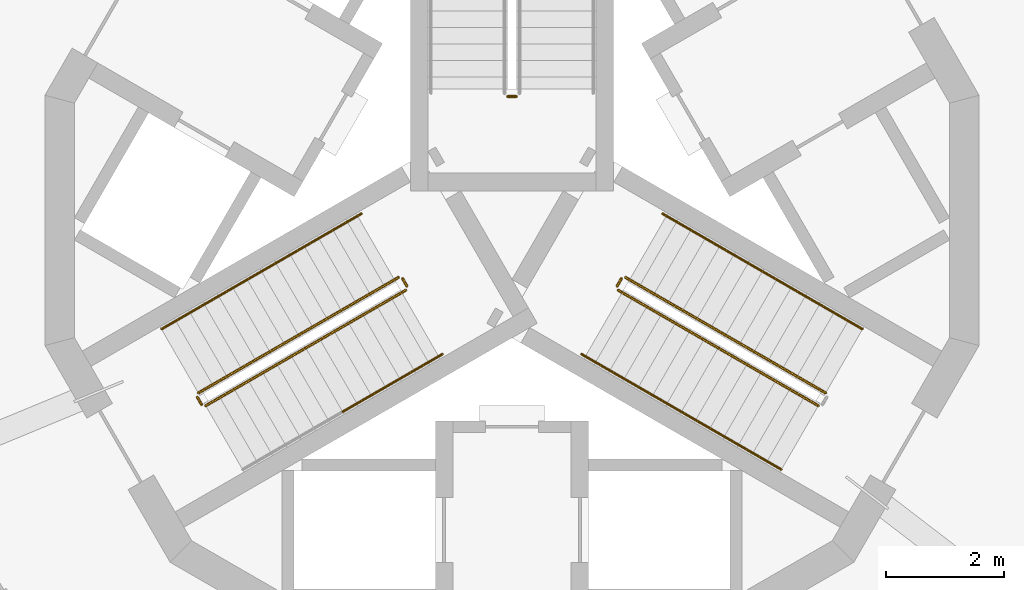
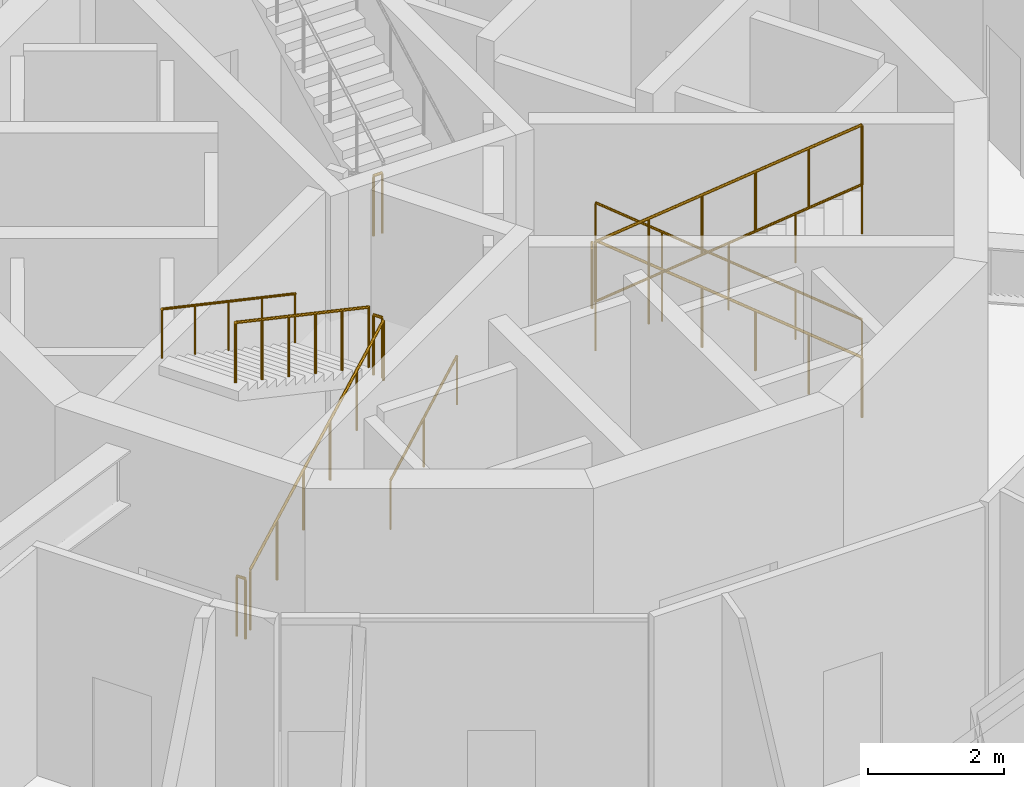
# One storey, part 18 of 22: 15 railings.
"""IFC4 building model written with IfcOpenShell, lengths in metres."""

from ifc_helpers import new_model, si_unit, direction, frame, origin, origin_2d, place, context, subcontext, project, spatial, circle, extrude, material, type_object, element, save


model = new_model("IFC4")

# Units and contexts
model_context = context("Model", 3, precision=1e-05, world=origin(), true_north=direction((0.0, 1.0)))
body_context = subcontext(model_context, "Body", "Model", "MODEL_VIEW")
ifc_project = project(units=[si_unit("LENGTHUNIT", "METRE"), si_unit("AREAUNIT", "SQUARE_METRE"), si_unit("VOLUMEUNIT", "CUBIC_METRE"), si_unit("PLANEANGLEUNIT", "RADIAN"), si_unit("MASSUNIT", "GRAM", prefix="KILO")], contexts=[model_context])

# Site, building, storey
site_placement = place(None, origin())
site = spatial("IfcSite", under=ifc_project, at=site_placement, CompositionType="ELEMENT")
building_placement = place(site_placement, origin())
building = spatial("IfcBuilding", under=site, at=building_placement, Name="Trine Commons Tower", CompositionType="ELEMENT")
storey_placement = place(building_placement, frame((0.0, 0.0, 267.300048828125)))
storey = spatial("IfcBuildingStorey", under=building, at=storey_placement, Name="L70", CompositionType="ELEMENT", Elevation=267.300048828125)

# Railings
ifc_material_1 = material(Name="Stainless steel balustrade", Category="steel")
railing_type_1 = type_object("IfcRailingType", Name="Stair guard, steel balustrade 1100", PredefinedType="GUARDRAIL", material=ifc_material_1)
railing_1_placement = place(storey_placement, frame((79.925048828125, 64.6005859375, 2.25)))
element("IfcRailing", 1, at=railing_1_placement, inside=storey, type_object=railing_type_1, Name="L70 ST1D stair guard 2", PredefinedType="GUARDRAIL", context=body_context, shape_type="SweptSolid", body=[
    extrude(circle(Radius=0.02392578125, at=origin_2d()), frame((0.0, 0.0, 1.076171875), z_axis=(1.0, 0.0, 0.0), x_axis=(0.0, 1.0, 0.0)), (0.0, 0.0, 1.0), 0.14990234375),
    extrude(circle(Radius=0.02099609375, at=origin_2d()), origin(), (0.0, 0.0, 1.0), 1.052001953125),
    extrude(circle(Radius=0.02099609375, at=origin_2d()), frame((0.14990234375, 0.0, 0.0)), (0.0, 0.0, 1.0), 1.052001953125),
])
railing_2_placement = place(storey_placement, frame((74.80517578125, 59.3564453125, 0.14990234375)))
element("IfcRailing", 2, at=railing_2_placement, inside=storey, type_object=railing_type_1, Name="L70 ST2D stair guard 1", PredefinedType="GUARDRAIL", context=body_context, shape_type="SweptSolid", body=[
    extrude(circle(Radius=0.02392578125, at=origin_2d()), frame((0.0, 0.0, 1.076171875), z_axis=(0.763374939589, 0.440731680332, 0.472243885677), x_axis=(-0.499997407846, 0.86602690036, 0.0)), (0.0, 0.0, 1.0), 4.447021484375),
    extrude(circle(Radius=0.02099609375, at=origin_2d()), origin(), (0.0, 0.0, 1.0), 1.052001953125),
    extrude(circle(Radius=0.02099609375, at=origin_2d()), frame((0.678955078125, 0.39208984375, 0.419921875)), (0.0, 0.0, 1.0), 1.052001953125),
    extrude(circle(Radius=0.02099609375, at=origin_2d()), frame((1.35791015625, 0.783935546875, 0.840087890625)), (0.0, 0.0, 1.0), 1.052001953125),
    extrude(circle(Radius=0.02099609375, at=origin_2d()), frame((2.036865234375, 1.176025390625, 1.260009765625)), (0.0, 0.0, 1.0), 1.052001953125),
    extrude(circle(Radius=0.02099609375, at=origin_2d()), frame((2.7158203125, 1.56787109375, 1.68017578125)), (0.0, 0.0, 1.0), 1.052001953125),
    extrude(circle(Radius=0.02099609375, at=origin_2d()), frame((3.394775390625, 1.9599609375, 2.10009765625)), (0.0, 0.0, 1.0), 1.052001953125),
])
railing_3_placement = place(storey_placement, frame((78.21826171875, 61.384765625, 2.25)))
element("IfcRailing", 3, at=railing_3_placement, inside=storey, type_object=railing_type_1, Name="L70 ST2D stair guard 2", PredefinedType="GUARDRAIL", context=body_context, shape_type="SweptSolid", body=[
    extrude(circle(Radius=0.02392578125, at=origin_2d()), frame((0.0, 0.0, 1.076171875), z_axis=(-0.499816412211, 0.866131372301, 0.0), x_axis=(-0.866131372301, -0.499816412211, 0.0)), (0.0, 0.0, 1.0), 0.14990234375),
    extrude(circle(Radius=0.02099609375, at=origin_2d()), origin(), (0.0, 0.0, 1.0), 1.052001953125),
    extrude(circle(Radius=0.02099609375, at=origin_2d()), frame((-0.074951171875, 0.1298828125, 0.0)), (0.0, 0.0, 1.0), 1.052001953125),
])
railing_4_placement = place(storey_placement, frame((78.074951171875, 61.532958984375, 2.39990234375)))
element("IfcRailing", 4, at=railing_4_placement, inside=storey, type_object=railing_type_1, Name="L70 ST2D stair guard 3", PredefinedType="GUARDRAIL", context=body_context, shape_type="SweptSolid", body=[
    extrude(circle(Radius=0.02392578125, at=origin_2d()), frame((0.0, 0.0, 1.076171875), z_axis=(-0.763374939589, -0.440731680332, 0.472243885677), x_axis=(0.499997407846, -0.86602690036, 0.0)), (0.0, 0.0, 1.0), 4.447021484375),
    extrude(circle(Radius=0.02099609375, at=origin_2d()), origin(), (0.0, 0.0, 1.0), 1.052001953125),
    extrude(circle(Radius=0.02099609375, at=origin_2d()), frame((-0.678955078125, -0.39208984375, 0.419921875)), (0.0, 0.0, 1.0), 1.052001953125),
    extrude(circle(Radius=0.02099609375, at=origin_2d()), frame((-1.35791015625, -0.783935546875, 0.840087890625)), (0.0, 0.0, 1.0), 1.052001953125),
    extrude(circle(Radius=0.02099609375, at=origin_2d()), frame((-2.036865234375, -1.176025390625, 1.260009765625)), (0.0, 0.0, 1.0), 1.052001953125),
    extrude(circle(Radius=0.02099609375, at=origin_2d()), frame((-2.7158203125, -1.56787109375, 1.68017578125)), (0.0, 0.0, 1.0), 1.052001953125),
    extrude(circle(Radius=0.02099609375, at=origin_2d()), frame((-3.394775390625, -1.9599609375, 2.10009765625)), (0.0, 0.0, 1.0), 1.052001953125),
])
railing_5_placement = place(storey_placement, frame((74.73681640625, 59.374755859375, 0.0)))
element("IfcRailing", 5, at=railing_5_placement, inside=storey, type_object=railing_type_1, Name="L70 ST2D stair guard 4", PredefinedType="GUARDRAIL", context=body_context, shape_type="SweptSolid", body=[
    extrude(circle(Radius=0.02392578125, at=origin_2d()), frame((0.0, 0.0, 1.076171875), z_axis=(-0.499816412211, 0.866131372301, 0.0), x_axis=(-0.866131372301, -0.499816412211, 0.0)), (0.0, 0.0, 1.0), 0.14990234375),
    extrude(circle(Radius=0.02099609375, at=origin_2d()), origin(), (0.0, 0.0, 1.0), 1.052001953125),
    extrude(circle(Radius=0.02099609375, at=origin_2d()), frame((-0.074951171875, 0.1298828125, 0.0)), (0.0, 0.0, 1.0), 1.052001953125),
])
railing_6_placement = place(storey_placement, frame((85.31982421875, 59.572998046875, 0.14990234375)))
element("IfcRailing", 6, at=railing_6_placement, inside=storey, type_object=railing_type_1, Name="L70 ST3D stair guard 1", PredefinedType="GUARDRAIL", context=body_context, shape_type="SweptSolid", body=[
    extrude(circle(Radius=0.02392578125, at=origin_2d()), frame((0.0, 0.0, 1.076171875), z_axis=(-0.763374939589, 0.440731680332, 0.472243885677), x_axis=(-0.499997407846, -0.86602690036, 0.0)), (0.0, 0.0, 1.0), 4.447021484375),
    extrude(circle(Radius=0.02099609375, at=origin_2d()), origin(), (0.0, 0.0, 1.0), 1.052001953125),
    extrude(circle(Radius=0.02099609375, at=origin_2d()), frame((-0.678955078125, 0.39208984375, 0.419921875)), (0.0, 0.0, 1.0), 1.052001953125),
    extrude(circle(Radius=0.02099609375, at=origin_2d()), frame((-1.35791015625, 0.783935546875, 0.840087890625)), (0.0, 0.0, 1.0), 1.052001953125),
    extrude(circle(Radius=0.02099609375, at=origin_2d()), frame((-2.036865234375, 1.176025390625, 1.260009765625)), (0.0, 0.0, 1.0), 1.052001953125),
    extrude(circle(Radius=0.02099609375, at=origin_2d()), frame((-2.7158203125, 1.56787109375, 1.68017578125)), (0.0, 0.0, 1.0), 1.052001953125),
    extrude(circle(Radius=0.02099609375, at=origin_2d()), frame((-3.394775390625, 1.9599609375, 2.10009765625)), (0.0, 0.0, 1.0), 1.052001953125),
])
railing_7_placement = place(storey_placement, frame((81.856689453125, 61.5146484375, 2.25)))
element("IfcRailing", 7, at=railing_7_placement, inside=storey, type_object=railing_type_1, Name="L70 ST3D stair guard 2", PredefinedType="GUARDRAIL", context=body_context, shape_type="SweptSolid", body=[
    extrude(circle(Radius=0.02392578125, at=origin_2d()), frame((0.0, 0.0, 1.076171875), z_axis=(-0.499816412211, -0.866131372301, 0.0), x_axis=(0.866131372301, -0.499816412211, 0.0)), (0.0, 0.0, 1.0), 0.14990234375),
    extrude(circle(Radius=0.02099609375, at=origin_2d()), origin(), (0.0, 0.0, 1.0), 1.052001953125),
    extrude(circle(Radius=0.02099609375, at=origin_2d()), frame((-0.074951171875, -0.1298828125, 0.0)), (0.0, 0.0, 1.0), 1.052001953125),
])
railing_8_placement = place(storey_placement, frame((81.800048828125, 61.31640625, 2.39990234375)))
element("IfcRailing", 8, at=railing_8_placement, inside=storey, type_object=railing_type_1, Name="L70 ST3D stair guard 3", PredefinedType="GUARDRAIL", context=body_context, shape_type="SweptSolid", body=[
    extrude(circle(Radius=0.02392578125, at=origin_2d()), frame((0.0, 0.0, 1.076171875), z_axis=(0.763374939589, -0.440731680332, 0.472243885677), x_axis=(0.499997407846, 0.86602690036, 0.0)), (0.0, 0.0, 1.0), 4.447021484375),
    extrude(circle(Radius=0.02099609375, at=origin_2d()), origin(), (0.0, 0.0, 1.0), 1.052001953125),
    extrude(circle(Radius=0.02099609375, at=origin_2d()), frame((0.678955078125, -0.39208984375, 0.419921875)), (0.0, 0.0, 1.0), 1.052001953125),
    extrude(circle(Radius=0.02099609375, at=origin_2d()), frame((1.35791015625, -0.783935546875, 0.840087890625)), (0.0, 0.0, 1.0), 1.052001953125),
    extrude(circle(Radius=0.02099609375, at=origin_2d()), frame((2.036865234375, -1.176025390625, 1.260009765625)), (0.0, 0.0, 1.0), 1.052001953125),
    extrude(circle(Radius=0.02099609375, at=origin_2d()), frame((2.7158203125, -1.56787109375, 1.68017578125)), (0.0, 0.0, 1.0), 1.052001953125),
    extrude(circle(Radius=0.02099609375, at=origin_2d()), frame((3.394775390625, -1.9599609375, 2.10009765625)), (0.0, 0.0, 1.0), 1.052001953125),
])
ifc_material_2 = material(Name="Stainless steel handrail", Category="steel")
railing_type_2 = type_object("IfcRailingType", Name="Stair handrail, steel 900", PredefinedType="HANDRAIL", material=ifc_material_2)
railing_9_placement = place(storey_placement, frame((77.127685546875, 59.25390625, 1.199951171875)))
element("IfcRailing", 9, at=railing_9_placement, inside=storey, type_object=railing_type_2, Name="L70 ST2D stair handrail 2", PredefinedType="HANDRAIL", context=body_context, shape_type="SweptSolid", body=[
    extrude(circle(Radius=0.02099609375, at=origin_2d()), frame((0.0, 0.0, 0.87890625), z_axis=(0.763352030933, 0.440750151347, 0.472263677365), x_axis=(-0.500024377727, 0.866011328839, 0.0)), (0.0, 0.0, 1.0), 2.223388671875),
    extrude(circle(Radius=0.01513671875, at=origin_2d()), origin(), (0.0, 0.0, 1.0), 0.85791015625),
    extrude(circle(Radius=0.01513671875, at=origin_2d()), frame((0.8486328125, 0.489990234375, 0.52490234375)), (0.0, 0.0, 1.0), 0.85791015625),
    extrude(circle(Radius=0.01513671875, at=origin_2d()), frame((1.697265625, 0.97998046875, 1.050048828125)), (0.0, 0.0, 1.0), 0.85791015625),
])
railing_10_placement = place(storey_placement, frame((77.449951171875, 62.615478515625, 2.39990234375)))
element("IfcRailing", 10, at=railing_10_placement, inside=storey, type_object=railing_type_2, Name="L70 ST2D stair handrail 3", PredefinedType="HANDRAIL", context=body_context, shape_type="SweptSolid", body=[
    extrude(circle(Radius=0.02099609375, at=origin_2d()), frame((0.0, 0.0, 0.87890625), z_axis=(-0.763352030933, -0.440750151347, 0.472263677365), x_axis=(0.500024377727, -0.866011328839, 0.0)), (0.0, 0.0, 1.0), 2.223388671875),
    extrude(circle(Radius=0.01513671875, at=origin_2d()), origin(), (0.0, 0.0, 1.0), 0.85791015625),
    extrude(circle(Radius=0.01513671875, at=origin_2d()), frame((-0.8486328125, -0.489990234375, 0.52490234375)), (0.0, 0.0, 1.0), 0.85791015625),
    extrude(circle(Radius=0.01513671875, at=origin_2d()), frame((-1.697265625, -0.97998046875, 1.050048828125)), (0.0, 0.0, 1.0), 0.85791015625),
])
railing_11_placement = place(storey_placement, frame((75.752685546875, 61.635498046875, 3.449951171875)))
element("IfcRailing", 11, at=railing_11_placement, inside=storey, type_object=railing_type_2, Name="L70 ST2D stair handrail 4", PredefinedType="HANDRAIL", context=body_context, shape_type="SweptSolid", body=[
    extrude(circle(Radius=0.02099609375, at=origin_2d()), frame((0.0, 0.0, 0.87890625), z_axis=(-0.763397845365, -0.440713210311, 0.472224095054), x_axis=(0.499970440388, -0.866042469362, 0.0)), (0.0, 0.0, 1.0), 2.2236328125),
    extrude(circle(Radius=0.01513671875, at=origin_2d()), origin(), (0.0, 0.0, 1.0), 0.85791015625),
    extrude(circle(Radius=0.01513671875, at=origin_2d()), frame((-0.8486328125, -0.489990234375, 0.52490234375)), (0.0, 0.0, 1.0), 0.85791015625),
    extrude(circle(Radius=0.01513671875, at=origin_2d()), frame((-1.697509765625, -0.97998046875, 1.050048828125)), (0.0, 0.0, 1.0), 0.85791015625),
])
railing_12_placement = place(storey_placement, frame((85.94482421875, 60.655517578125, 0.14990234375)))
element("IfcRailing", 12, at=railing_12_placement, inside=storey, type_object=railing_type_2, Name="L70 ST3D stair handrail 1", PredefinedType="HANDRAIL", context=body_context, shape_type="SweptSolid", body=[
    extrude(circle(Radius=0.02099609375, at=origin_2d()), frame((0.0, 0.0, 0.87890625), z_axis=(-0.763397845365, 0.440713210311, 0.472224095054), x_axis=(-0.499970440388, -0.866042469362, 0.0)), (0.0, 0.0, 1.0), 2.2236328125),
    extrude(circle(Radius=0.01513671875, at=origin_2d()), origin(), (0.0, 0.0, 1.0), 0.85791015625),
    extrude(circle(Radius=0.01513671875, at=origin_2d()), frame((-0.8486328125, 0.489990234375, 0.52490234375)), (0.0, 0.0, 1.0), 0.85791015625),
    extrude(circle(Radius=0.01513671875, at=origin_2d()), frame((-1.697509765625, 0.97998046875, 1.050048828125)), (0.0, 0.0, 1.0), 0.85791015625),
])
railing_13_placement = place(storey_placement, frame((84.247314453125, 61.635498046875, 1.199951171875)))
element("IfcRailing", 13, at=railing_13_placement, inside=storey, type_object=railing_type_2, Name="L70 ST3D stair handrail 2", PredefinedType="HANDRAIL", context=body_context, shape_type="SweptSolid", body=[
    extrude(circle(Radius=0.02099609375, at=origin_2d()), frame((0.0, 0.0, 0.87890625), z_axis=(-0.763352030933, 0.440750151347, 0.472263677365), x_axis=(-0.500024377727, -0.866011328839, 0.0)), (0.0, 0.0, 1.0), 2.223388671875),
    extrude(circle(Radius=0.01513671875, at=origin_2d()), origin(), (0.0, 0.0, 1.0), 0.85791015625),
    extrude(circle(Radius=0.01513671875, at=origin_2d()), frame((-0.8486328125, 0.489990234375, 0.52490234375)), (0.0, 0.0, 1.0), 0.85791015625),
    extrude(circle(Radius=0.01513671875, at=origin_2d()), frame((-1.697265625, 0.97998046875, 1.050048828125)), (0.0, 0.0, 1.0), 0.85791015625),
])
railing_14_placement = place(storey_placement, frame((81.175048828125, 60.23388671875, 2.39990234375)))
element("IfcRailing", 14, at=railing_14_placement, inside=storey, type_object=railing_type_2, Name="L70 ST3D stair handrail 3", PredefinedType="HANDRAIL", context=body_context, shape_type="SweptSolid", body=[
    extrude(circle(Radius=0.02099609375, at=origin_2d()), frame((0.0, 0.0, 0.87890625), z_axis=(0.763352030933, -0.440750151347, 0.472263677365), x_axis=(0.500024377727, 0.866011328839, 0.0)), (0.0, 0.0, 1.0), 2.223388671875),
    extrude(circle(Radius=0.01513671875, at=origin_2d()), origin(), (0.0, 0.0, 1.0), 0.85791015625),
    extrude(circle(Radius=0.01513671875, at=origin_2d()), frame((0.8486328125, -0.489990234375, 0.52490234375)), (0.0, 0.0, 1.0), 0.85791015625),
    extrude(circle(Radius=0.01513671875, at=origin_2d()), frame((1.697265625, -0.97998046875, 1.050048828125)), (0.0, 0.0, 1.0), 0.85791015625),
])
railing_15_placement = place(storey_placement, frame((82.872314453125, 59.25390625, 3.449951171875)))
element("IfcRailing", 15, at=railing_15_placement, inside=storey, type_object=railing_type_2, Name="L70 ST3D stair handrail 4", PredefinedType="HANDRAIL", context=body_context, shape_type="SweptSolid", body=[
    extrude(circle(Radius=0.02099609375, at=origin_2d()), frame((0.0, 0.0, 0.87890625), z_axis=(0.763397845365, -0.440713210311, 0.472224095054), x_axis=(0.499970440388, 0.866042469362, 0.0)), (0.0, 0.0, 1.0), 2.2236328125),
    extrude(circle(Radius=0.01513671875, at=origin_2d()), origin(), (0.0, 0.0, 1.0), 0.85791015625),
    extrude(circle(Radius=0.01513671875, at=origin_2d()), frame((0.8486328125, -0.489990234375, 0.52490234375)), (0.0, 0.0, 1.0), 0.85791015625),
    extrude(circle(Radius=0.01513671875, at=origin_2d()), frame((1.697509765625, -0.97998046875, 1.050048828125)), (0.0, 0.0, 1.0), 0.85791015625),
])

save(model, "model.ifc")
